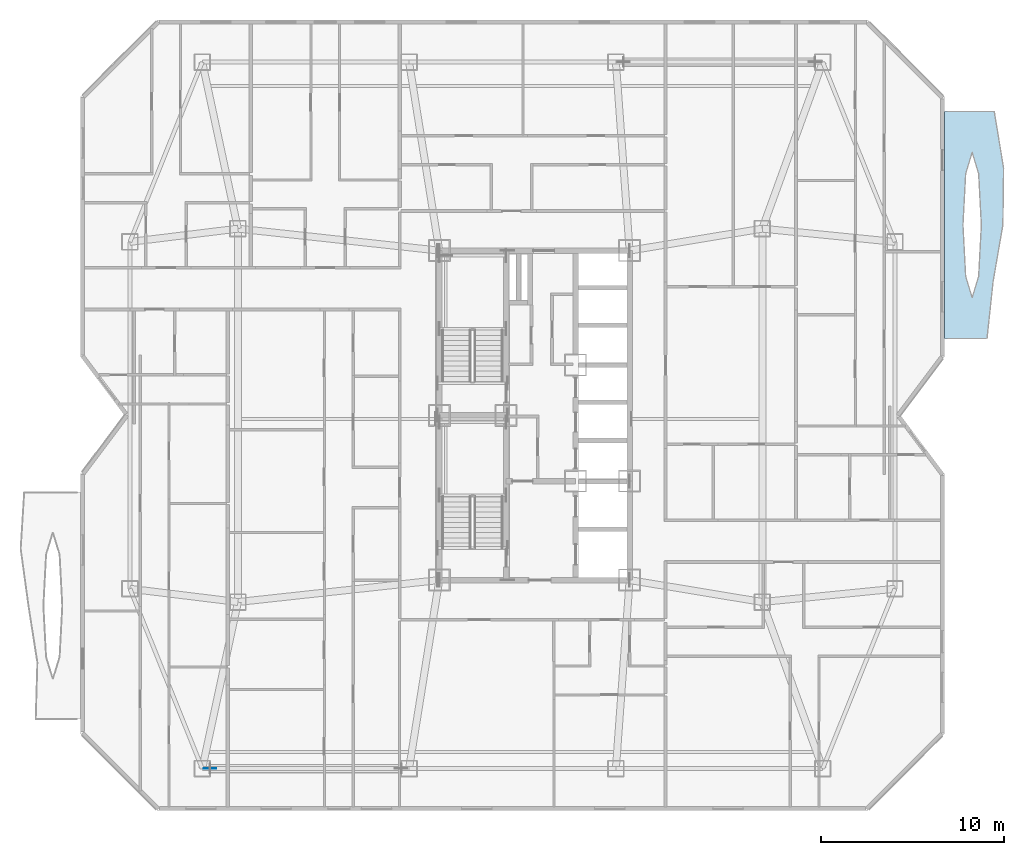
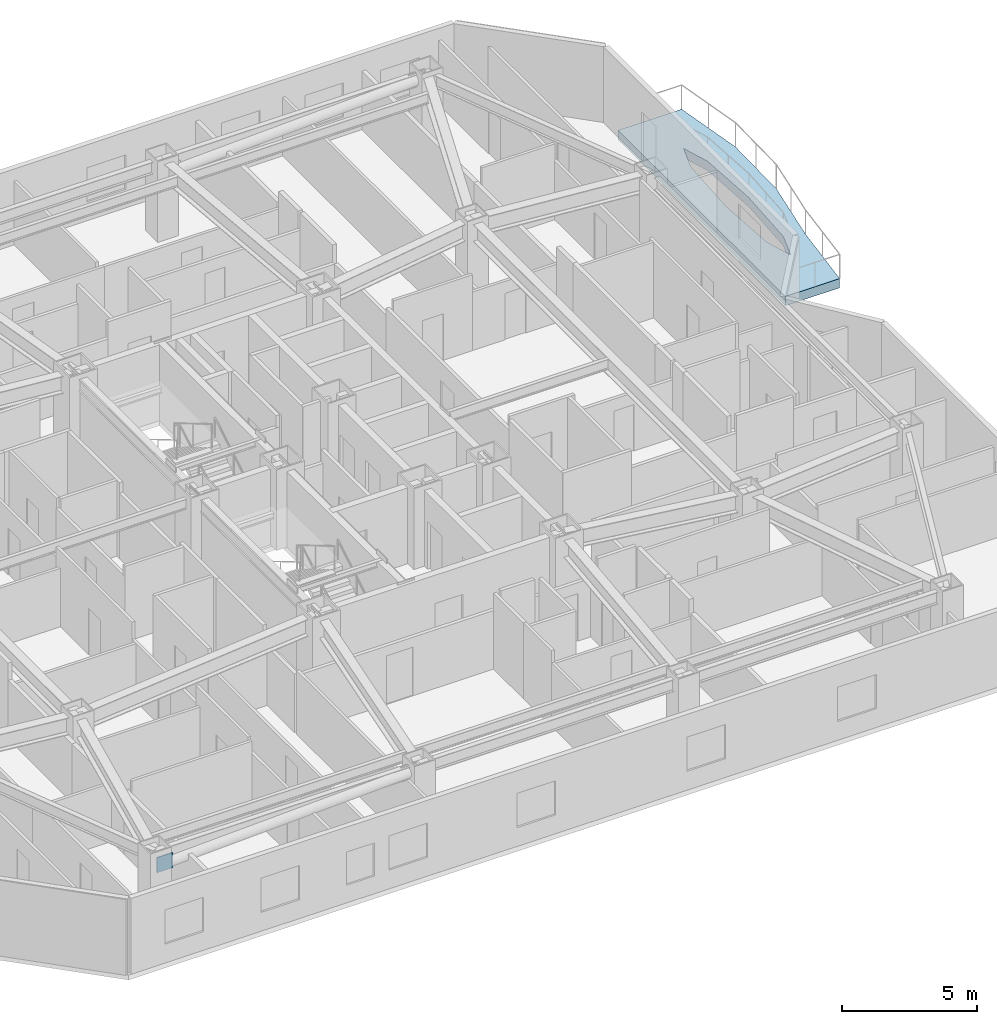
# One storey, part 4 of 16: 1 plate, 1 slab.
"""IFC4 building model written with IfcOpenShell, lengths in metres."""

from ifc_helpers import new_model, si_unit, direction, frame, origin, origin_2d, place, context, subcontext, project, spatial, polyline, rectangle, outline, extrude, material, layer, layer_set, type_object, element, save


model = new_model("IFC4")

# Units and contexts
model_context = context("Model", 3, precision=1e-05, world=origin(), true_north=direction((0.0, 1.0)))
body_context = subcontext(model_context, "Body", "Model", "MODEL_VIEW")
ifc_project = project(units=[si_unit("LENGTHUNIT", "METRE"), si_unit("AREAUNIT", "SQUARE_METRE"), si_unit("VOLUMEUNIT", "CUBIC_METRE"), si_unit("PLANEANGLEUNIT", "RADIAN"), si_unit("MASSUNIT", "GRAM", prefix="KILO")], contexts=[model_context])

# Site, building, storey
site_placement = place(None, origin())
site = spatial("IfcSite", under=ifc_project, at=site_placement, CompositionType="ELEMENT")
building_placement = place(site_placement, origin())
building = spatial("IfcBuilding", under=site, at=building_placement, Name="Khamvora Tower", CompositionType="ELEMENT")
storey_placement = place(building_placement, frame((0.0, 0.0, 134.75)))
storey = spatial("IfcBuildingStorey", under=building, at=storey_placement, Name="L34", CompositionType="ELEMENT", Elevation=134.75)

# Plate
ifc_material_1 = material(Name="Steel S460", Category="steel")
ifc_layer_1 = layer(ifc_material_1, 0.0400390625)
ifc_layer_set_1 = layer_set([ifc_layer_1], Name="Steel S460")
plate_type = type_object("IfcPlateType", Name="PLT-GUS-40", PredefinedType="SHEET", material=ifc_layer_set_1)
plate_placement = place(storey_placement, frame((16.47998046875, 8.699951171875, 2.35791015625), z_axis=(0.0, 0.0, 1.0), x_axis=(1.0, 0.0, 0.0)))
element("IfcPlate", 1, at=plate_placement, inside=storey, type_object=plate_type, Name="L34 brace connection node gusset plate 0213", PredefinedType="SHEET", context=body_context, shape_type="SweptSolid", body=[
    extrude(rectangle(XDim=0.679931640625, YDim=0.0400390625, at=origin_2d()), origin(), (0.0, 0.0, 1.0), 0.679931640625),
])

# Slab
ifc_material_2 = material(Name="Concrete C40/50", Category="concrete")
ifc_layer_2 = layer(ifc_material_2, 0.419921875)
ifc_layer_set_2 = layer_set([ifc_layer_2], Name="Concrete C40/50")
slab_type = type_object("IfcSlabType", Name="SLB-GRD-420", PredefinedType="FLOOR", material=ifc_layer_set_2)
slab_placement = place(storey_placement, frame((0.0, 0.0, -0.419921875)))
element("IfcSlab", 2, at=slab_placement, inside=storey, type_object=slab_type, Name="L34 external lens gallery slab EL2", PredefinedType="FLOOR", context=body_context, shape_type="SweptSolid", body=[
    extrude(outline(polyline([(58.925048828125, 32.199951171875), (59.257080078125, 35.300048828125), (59.7919921875, 38.39990234375), (59.8310546875, 41.5), (59.322021484375, 44.60009765625), (56.60009765625, 44.60009765625), (56.60009765625, 32.199951171875), (58.925048828125, 32.199951171875)]), holes=[polyline([(58.618896484375, 38.39990234375), (58.470947265625, 41.2060546875), (58.114990234375, 42.367919921875), (57.759033203125, 41.2060546875), (57.611083984375, 38.39990234375), (57.759033203125, 35.593994140625), (58.114990234375, 34.431884765625), (58.470947265625, 35.593994140625), (58.618896484375, 38.39990234375)])]), origin(), (0.0, 0.0, 1.0), 0.419921875),
])

save(model, "model.ifc")
